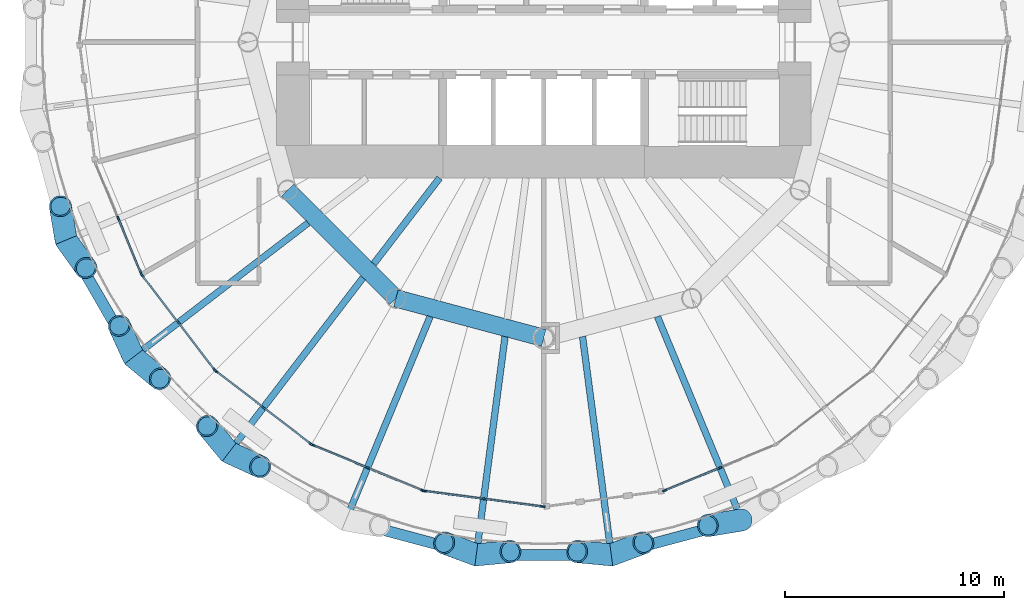
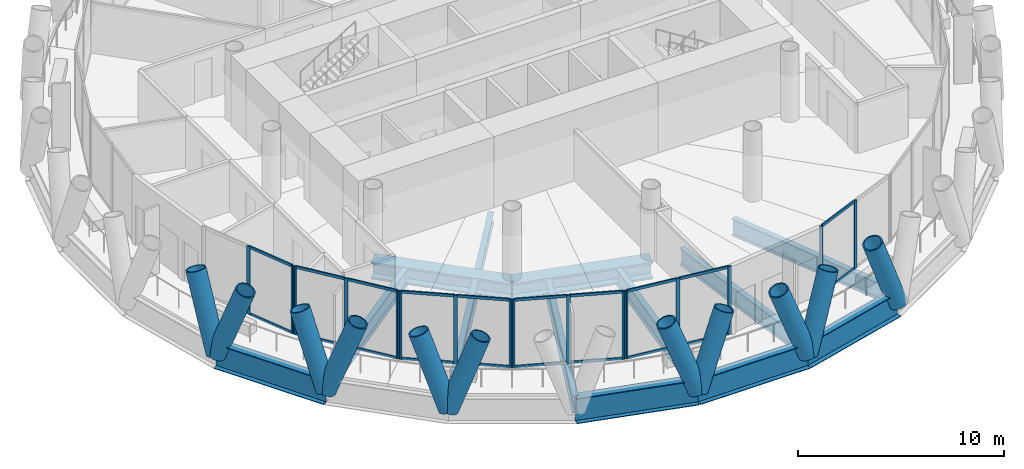
# One storey, part 2 of 14: 47 members, 13 beams, 6 elements without a shape of their own.
"""IFC4 building model written with IfcOpenShell, lengths in metres."""

from ifc_helpers import new_model, si_unit, direction, frame, origin, origin_2d, place, context, subcontext, project, spatial, rectangle, hollow_circle, i_section, extrude, material, material_profile, profile_set, type_object, element, aggregate, save


model = new_model("IFC4")

# Units and contexts
model_context = context("Model", 3, precision=1e-05, world=origin(), true_north=direction((0.0, 1.0)))
body_context = subcontext(model_context, "Body", "Model", "MODEL_VIEW")
ifc_project = project(units=[si_unit("LENGTHUNIT", "METRE"), si_unit("AREAUNIT", "SQUARE_METRE"), si_unit("VOLUMEUNIT", "CUBIC_METRE"), si_unit("PLANEANGLEUNIT", "RADIAN"), si_unit("MASSUNIT", "GRAM", prefix="KILO")], contexts=[model_context])

# Site, building, storey
site_placement = place(None, origin())
site = spatial("IfcSite", under=ifc_project, at=site_placement, CompositionType="ELEMENT")
building_placement = place(site_placement, origin())
building = spatial("IfcBuilding", under=site, at=building_placement, Name="Qaws Media Tower", CompositionType="ELEMENT")
storey_placement = place(building_placement, frame((0.0, 0.0, 202.39990234375)))
storey = spatial("IfcBuildingStorey", under=building, at=storey_placement, Name="L46", CompositionType="ELEMENT", Elevation=202.39990234375)

# Curtain wall, members
ifc_material_1 = material(Name="Aluminium and clear glass", Category="aluminium")
curtain_wall_type = type_object("IfcCurtainWallType", Name="Unitised curtain wall CW-C", PredefinedType="NOTDEFINED", material=ifc_material_1)
curtain_wall_1_placement = place(storey_placement, origin())
curtain_wall_1 = element("IfcCurtainWall", 1, at=curtain_wall_1_placement, inside=storey, type_object=curtain_wall_type, Name="CWC curtain wall L46-14", PredefinedType="NOTDEFINED")
ifc_material_2 = material(Name="Aluminium mullion", Category="aluminium")
ifc_material_profile_1 = material_profile(ifc_material_2, rectangle(XDim=0.080078125, YDim=0.199951171875, at=origin_2d()), Name="80x200")
ifc_profile_set_1 = profile_set([ifc_material_profile_1], Name="Aluminium mullion")
member_type_1 = type_object("IfcMemberType", Name="Curtain wall mullion 80x200", PredefinedType="MULLION", material=ifc_profile_set_1)
member_1_placement = place(storey_placement, frame((40.581298828125, 41.95654296875, 0.0), z_axis=(0.0, 0.0, 1.0), x_axis=(0.923879523321, 0.382683454553, 0.0)))
member_1 = element("IfcMember", 2, at=member_1_placement, type_object=member_type_1, Name="CWC mullion 2", PredefinedType="MULLION", context=body_context, shape_type="SweptSolid", body=[
    extrude(rectangle(XDim=0.080078125, YDim=0.199951171875, at=origin_2d()), origin(), (0.0, 0.0, 1.0), 4.0400390625),
])
member_2_placement = place(storey_placement, frame((41.625, 39.43701171875, 0.0), z_axis=(0.0, 0.0, 1.0), x_axis=(0.923879523321, 0.382683454553, 0.0)))
member_2 = element("IfcMember", 3, at=member_2_placement, type_object=member_type_1, Name="CWC mullion 3", PredefinedType="MULLION", context=body_context, shape_type="SweptSolid", body=[
    extrude(rectangle(XDim=0.080078125, YDim=0.199951171875, at=origin_2d()), origin(), (0.0, 0.0, 1.0), 4.0400390625),
])

curtain_wall_2_placement = place(storey_placement, origin())
curtain_wall_2 = element("IfcCurtainWall", 4, at=curtain_wall_2_placement, inside=storey, type_object=curtain_wall_type, Name="CWC curtain wall L46-15", PredefinedType="NOTDEFINED")
member_3_placement = place(storey_placement, frame((41.66455078125, 39.3681640625, 0.0), z_axis=(0.0, 0.0, 1.0), x_axis=(0.793353338751, 0.608761431016, 0.0)))
member_3 = element("IfcMember", 5, at=member_3_placement, type_object=member_type_1, Name="CWC mullion 1", PredefinedType="MULLION", context=body_context, shape_type="SweptSolid", body=[
    extrude(rectangle(XDim=0.080078125, YDim=0.199951171875, at=origin_2d()), origin(), (0.0, 0.0, 1.0), 4.0400390625),
])
member_4_placement = place(storey_placement, frame((43.32470703125, 37.20458984375, 0.0), z_axis=(0.0, 0.0, 1.0), x_axis=(0.793353338751, 0.608761431016, 0.0)))
member_4 = element("IfcMember", 6, at=member_4_placement, type_object=member_type_1, Name="CWC mullion 2", PredefinedType="MULLION", context=body_context, shape_type="SweptSolid", body=[
    extrude(rectangle(XDim=0.080078125, YDim=0.199951171875, at=origin_2d()), origin(), (0.0, 0.0, 1.0), 4.0400390625),
])
member_5_placement = place(storey_placement, frame((44.985107421875, 35.041015625, 0.0), z_axis=(0.0, 0.0, 1.0), x_axis=(0.793353338751, 0.608761431016, 0.0)))
member_5 = element("IfcMember", 7, at=member_5_placement, type_object=member_type_1, Name="CWC mullion 3", PredefinedType="MULLION", context=body_context, shape_type="SweptSolid", body=[
    extrude(rectangle(XDim=0.080078125, YDim=0.199951171875, at=origin_2d()), origin(), (0.0, 0.0, 1.0), 4.0400390625),
])

curtain_wall_3_placement = place(storey_placement, origin())
curtain_wall_3 = element("IfcCurtainWall", 8, at=curtain_wall_3_placement, inside=storey, type_object=curtain_wall_type, Name="CWC curtain wall L46-16", PredefinedType="NOTDEFINED")
member_6_placement = place(storey_placement, frame((45.041015625, 34.985107421875, 0.0), z_axis=(0.0, 0.0, 1.0), x_axis=(0.608761431016, 0.793353338751, 0.0)))
member_6 = element("IfcMember", 9, at=member_6_placement, type_object=member_type_1, Name="CWC mullion 1", PredefinedType="MULLION", context=body_context, shape_type="SweptSolid", body=[
    extrude(rectangle(XDim=0.080078125, YDim=0.199951171875, at=origin_2d()), origin(), (0.0, 0.0, 1.0), 4.0400390625),
])
member_7_placement = place(storey_placement, frame((47.20458984375, 33.32470703125, 0.0), z_axis=(0.0, 0.0, 1.0), x_axis=(0.608761431016, 0.793353338751, 0.0)))
member_7 = element("IfcMember", 10, at=member_7_placement, type_object=member_type_1, Name="CWC mullion 2", PredefinedType="MULLION", context=body_context, shape_type="SweptSolid", body=[
    extrude(rectangle(XDim=0.080078125, YDim=0.199951171875, at=origin_2d()), origin(), (0.0, 0.0, 1.0), 4.0400390625),
])
member_8_placement = place(storey_placement, frame((49.3681640625, 31.66455078125, 0.0), z_axis=(0.0, 0.0, 1.0), x_axis=(0.608761431016, 0.793353338751, 0.0)))
member_8 = element("IfcMember", 11, at=member_8_placement, type_object=member_type_1, Name="CWC mullion 3", PredefinedType="MULLION", context=body_context, shape_type="SweptSolid", body=[
    extrude(rectangle(XDim=0.080078125, YDim=0.199951171875, at=origin_2d()), origin(), (0.0, 0.0, 1.0), 4.0400390625),
])

curtain_wall_4_placement = place(storey_placement, origin())
curtain_wall_4 = element("IfcCurtainWall", 12, at=curtain_wall_4_placement, inside=storey, type_object=curtain_wall_type, Name="CWC curtain wall L46-17", PredefinedType="NOTDEFINED")
member_9_placement = place(storey_placement, frame((49.43701171875, 31.625, 0.0), z_axis=(0.0, 0.0, 1.0), x_axis=(0.382683454553, 0.923879523321, 0.0)))
member_9 = element("IfcMember", 13, at=member_9_placement, type_object=member_type_1, Name="CWC mullion 1", PredefinedType="MULLION", context=body_context, shape_type="SweptSolid", body=[
    extrude(rectangle(XDim=0.080078125, YDim=0.199951171875, at=origin_2d()), origin(), (0.0, 0.0, 1.0), 4.0400390625),
])
member_10_placement = place(storey_placement, frame((51.95654296875, 30.581298828125, 0.0), z_axis=(0.0, 0.0, 1.0), x_axis=(0.382683454553, 0.923879523321, 0.0)))
member_10 = element("IfcMember", 14, at=member_10_placement, type_object=member_type_1, Name="CWC mullion 2", PredefinedType="MULLION", context=body_context, shape_type="SweptSolid", body=[
    extrude(rectangle(XDim=0.080078125, YDim=0.199951171875, at=origin_2d()), origin(), (0.0, 0.0, 1.0), 4.0400390625),
])
member_11_placement = place(storey_placement, frame((54.47607421875, 29.53759765625, 0.0), z_axis=(0.0, 0.0, 1.0), x_axis=(0.382683454553, 0.923879523321, 0.0)))
member_11 = element("IfcMember", 15, at=member_11_placement, type_object=member_type_1, Name="CWC mullion 3", PredefinedType="MULLION", context=body_context, shape_type="SweptSolid", body=[
    extrude(rectangle(XDim=0.080078125, YDim=0.199951171875, at=origin_2d()), origin(), (0.0, 0.0, 1.0), 4.0400390625),
])

curtain_wall_5_placement = place(storey_placement, origin())
curtain_wall_5 = element("IfcCurtainWall", 16, at=curtain_wall_5_placement, inside=storey, type_object=curtain_wall_type, Name="CWC curtain wall L46-18", PredefinedType="NOTDEFINED")
member_12_placement = place(storey_placement, frame((54.552734375, 29.51708984375, 0.0), z_axis=(0.0, 0.0, 1.0), x_axis=(0.130526100786, 0.991444873411, 0.0)))
member_12 = element("IfcMember", 17, at=member_12_placement, type_object=member_type_1, Name="CWC mullion 1", PredefinedType="MULLION", context=body_context, shape_type="SweptSolid", body=[
    extrude(rectangle(XDim=0.080078125, YDim=0.199951171875, at=origin_2d()), origin(), (0.0, 0.0, 1.0), 4.0400390625),
])
member_13_placement = place(storey_placement, frame((57.256591796875, 29.1611328125, 0.0), z_axis=(0.0, 0.0, 1.0), x_axis=(0.130526100786, 0.991444873411, 0.0)))
member_13 = element("IfcMember", 18, at=member_13_placement, type_object=member_type_1, Name="CWC mullion 2", PredefinedType="MULLION", context=body_context, shape_type="SweptSolid", body=[
    extrude(rectangle(XDim=0.080078125, YDim=0.199951171875, at=origin_2d()), origin(), (0.0, 0.0, 1.0), 4.0400390625),
])
member_14_placement = place(storey_placement, frame((59.96044921875, 28.80517578125, 0.0), z_axis=(0.0, 0.0, 1.0), x_axis=(0.130526100786, 0.991444873411, 0.0)))
member_14 = element("IfcMember", 19, at=member_14_placement, type_object=member_type_1, Name="CWC mullion 3", PredefinedType="MULLION", context=body_context, shape_type="SweptSolid", body=[
    extrude(rectangle(XDim=0.080078125, YDim=0.199951171875, at=origin_2d()), origin(), (0.0, 0.0, 1.0), 4.0400390625),
])

curtain_wall_6_placement = place(storey_placement, origin())
curtain_wall_6 = element("IfcCurtainWall", 20, at=curtain_wall_6_placement, inside=storey, type_object=curtain_wall_type, Name="CWC curtain wall L46-20", PredefinedType="NOTDEFINED")
member_15_placement = place(storey_placement, frame((65.52392578125, 29.53759765625, 0.0), z_axis=(0.0, 0.0, 1.0), x_axis=(-0.382683454553, 0.923879523321, 0.0)))
member_15 = element("IfcMember", 21, at=member_15_placement, type_object=member_type_1, Name="CWC mullion 1", PredefinedType="MULLION", context=body_context, shape_type="SweptSolid", body=[
    extrude(rectangle(XDim=0.080078125, YDim=0.199951171875, at=origin_2d()), origin(), (0.0, 0.0, 1.0), 4.0400390625),
])
member_16_placement = place(storey_placement, frame((68.04345703125, 30.581298828125, 0.0), z_axis=(0.0, 0.0, 1.0), x_axis=(-0.382683454553, 0.923879523321, 0.0)))
member_16 = element("IfcMember", 22, at=member_16_placement, type_object=member_type_1, Name="CWC mullion 2", PredefinedType="MULLION", context=body_context, shape_type="SweptSolid", body=[
    extrude(rectangle(XDim=0.080078125, YDim=0.199951171875, at=origin_2d()), origin(), (0.0, 0.0, 1.0), 4.0400390625),
])

# Member
ifc_material_3 = material(Name="Aluminium transom", Category="aluminium")
ifc_material_profile_2 = material_profile(ifc_material_3, rectangle(XDim=0.080078125, YDim=0.159912109375, at=origin_2d()), Name="80x160")
ifc_profile_set_2 = profile_set([ifc_material_profile_2], Name="Aluminium transom")
member_type_2 = type_object("IfcMemberType", Name="Curtain wall transom 80x160", PredefinedType="USERDEFINED", material=ifc_profile_set_2)
member_17_placement = place(storey_placement, frame((40.5966796875, 41.919677734375, 0.0400390625), z_axis=(0.38263687271, -0.923898816777, 0.0), x_axis=(0.923898816777, 0.38263687271, 0.0)))
member_17 = element("IfcMember", 23, at=member_17_placement, type_object=member_type_2, Name="CWC transom 2.1", ObjectType="TRANSOM", PredefinedType="USERDEFINED", context=body_context, shape_type="SweptSolid", body=[
    extrude(rectangle(XDim=0.080078125, YDim=0.159912109375, at=origin_2d()), origin(), (0.0, 0.0, 1.0), 2.647216796875),
])

member_18_placement = place(storey_placement, frame((40.5966796875, 41.919677734375, 4.0), z_axis=(0.38263687271, -0.923898816777, 0.0), x_axis=(0.923898816777, 0.38263687271, 0.0)))
member_18 = element("IfcMember", 24, at=member_18_placement, type_object=member_type_2, Name="CWC transom 2.2", ObjectType="TRANSOM", PredefinedType="USERDEFINED", context=body_context, shape_type="SweptSolid", body=[
    extrude(rectangle(XDim=0.080078125, YDim=0.159912109375, at=origin_2d()), origin(), (0.0, 0.0, 1.0), 2.647216796875),
])

aggregate(curtain_wall_1, [member_1, member_2, member_17, member_18])

member_19_placement = place(storey_placement, frame((41.68896484375, 39.33642578125, 0.0400390625), z_axis=(0.608787739029, -0.793333151209, 0.0), x_axis=(0.793333151209, 0.608787739029, 0.0)))
member_19 = element("IfcMember", 25, at=member_19_placement, type_object=member_type_2, Name="CWC transom 1.1", ObjectType="TRANSOM", PredefinedType="USERDEFINED", context=body_context, shape_type="SweptSolid", body=[
    extrude(rectangle(XDim=0.080078125, YDim=0.159912109375, at=origin_2d()), origin(), (0.0, 0.0, 1.0), 2.647216796875),
])

member_20_placement = place(storey_placement, frame((41.68896484375, 39.33642578125, 4.0), z_axis=(0.608787739029, -0.793333151209, 0.0), x_axis=(0.793333151209, 0.608787739029, 0.0)))
member_20 = element("IfcMember", 26, at=member_20_placement, type_object=member_type_2, Name="CWC transom 1.2", ObjectType="TRANSOM", PredefinedType="USERDEFINED", context=body_context, shape_type="SweptSolid", body=[
    extrude(rectangle(XDim=0.080078125, YDim=0.159912109375, at=origin_2d()), origin(), (0.0, 0.0, 1.0), 2.647216796875),
])

member_21_placement = place(storey_placement, frame((43.34912109375, 37.1728515625, 0.0400390625), z_axis=(0.608787739029, -0.793333151209, 0.0), x_axis=(0.793333151209, 0.608787739029, 0.0)))
member_21 = element("IfcMember", 27, at=member_21_placement, type_object=member_type_2, Name="CWC transom 2.1", ObjectType="TRANSOM", PredefinedType="USERDEFINED", context=body_context, shape_type="SweptSolid", body=[
    extrude(rectangle(XDim=0.080078125, YDim=0.159912109375, at=origin_2d()), origin(), (0.0, 0.0, 1.0), 2.647216796875),
])

member_22_placement = place(storey_placement, frame((43.34912109375, 37.1728515625, 4.0), z_axis=(0.608787739029, -0.793333151209, 0.0), x_axis=(0.793333151209, 0.608787739029, 0.0)))
member_22 = element("IfcMember", 28, at=member_22_placement, type_object=member_type_2, Name="CWC transom 2.2", ObjectType="TRANSOM", PredefinedType="USERDEFINED", context=body_context, shape_type="SweptSolid", body=[
    extrude(rectangle(XDim=0.080078125, YDim=0.159912109375, at=origin_2d()), origin(), (0.0, 0.0, 1.0), 2.647216796875),
])

aggregate(curtain_wall_2, [member_3, member_4, member_5, member_19, member_20, member_21, member_22])

member_23_placement = place(storey_placement, frame((45.07275390625, 34.960693359375, 0.0400390625), z_axis=(0.793333151209, -0.608787739029, 0.0), x_axis=(0.608787739029, 0.793333151209, 0.0)))
member_23 = element("IfcMember", 29, at=member_23_placement, type_object=member_type_2, Name="CWC transom 1.1", ObjectType="TRANSOM", PredefinedType="USERDEFINED", context=body_context, shape_type="SweptSolid", body=[
    extrude(rectangle(XDim=0.080078125, YDim=0.159912109375, at=origin_2d()), origin(), (0.0, 0.0, 1.0), 2.647216796875),
])

member_24_placement = place(storey_placement, frame((45.07275390625, 34.960693359375, 4.0), z_axis=(0.793333151209, -0.608787739029, 0.0), x_axis=(0.608787739029, 0.793333151209, 0.0)))
member_24 = element("IfcMember", 30, at=member_24_placement, type_object=member_type_2, Name="CWC transom 1.2", ObjectType="TRANSOM", PredefinedType="USERDEFINED", context=body_context, shape_type="SweptSolid", body=[
    extrude(rectangle(XDim=0.080078125, YDim=0.159912109375, at=origin_2d()), origin(), (0.0, 0.0, 1.0), 2.647216796875),
])

member_25_placement = place(storey_placement, frame((47.236328125, 33.300537109375, 0.0400390625), z_axis=(0.793333151209, -0.608787739029, 0.0), x_axis=(0.608787739029, 0.793333151209, 0.0)))
member_25 = element("IfcMember", 31, at=member_25_placement, type_object=member_type_2, Name="CWC transom 2.1", ObjectType="TRANSOM", PredefinedType="USERDEFINED", context=body_context, shape_type="SweptSolid", body=[
    extrude(rectangle(XDim=0.080078125, YDim=0.159912109375, at=origin_2d()), origin(), (0.0, 0.0, 1.0), 2.647216796875),
])

member_26_placement = place(storey_placement, frame((47.236328125, 33.300537109375, 4.0), z_axis=(0.793333151209, -0.608787739029, 0.0), x_axis=(0.608787739029, 0.793333151209, 0.0)))
member_26 = element("IfcMember", 32, at=member_26_placement, type_object=member_type_2, Name="CWC transom 2.2", ObjectType="TRANSOM", PredefinedType="USERDEFINED", context=body_context, shape_type="SweptSolid", body=[
    extrude(rectangle(XDim=0.080078125, YDim=0.159912109375, at=origin_2d()), origin(), (0.0, 0.0, 1.0), 2.647216796875),
])

aggregate(curtain_wall_3, [member_6, member_7, member_8, member_23, member_24, member_25, member_26])

member_27_placement = place(storey_placement, frame((49.473876953125, 31.609619140625, 0.0400390625), z_axis=(0.923898816777, -0.38263687271, 0.0), x_axis=(0.38263687271, 0.923898816777, 0.0)))
member_27 = element("IfcMember", 33, at=member_27_placement, type_object=member_type_2, Name="CWC transom 1.1", ObjectType="TRANSOM", PredefinedType="USERDEFINED", context=body_context, shape_type="SweptSolid", body=[
    extrude(rectangle(XDim=0.080078125, YDim=0.159912109375, at=origin_2d()), origin(), (0.0, 0.0, 1.0), 2.647216796875),
])

member_28_placement = place(storey_placement, frame((49.473876953125, 31.609619140625, 4.0), z_axis=(0.923898816777, -0.38263687271, 0.0), x_axis=(0.38263687271, 0.923898816777, 0.0)))
member_28 = element("IfcMember", 34, at=member_28_placement, type_object=member_type_2, Name="CWC transom 1.2", ObjectType="TRANSOM", PredefinedType="USERDEFINED", context=body_context, shape_type="SweptSolid", body=[
    extrude(rectangle(XDim=0.080078125, YDim=0.159912109375, at=origin_2d()), origin(), (0.0, 0.0, 1.0), 2.647216796875),
])

member_29_placement = place(storey_placement, frame((51.993408203125, 30.56591796875, 0.0400390625), z_axis=(0.923898816777, -0.38263687271, 0.0), x_axis=(0.38263687271, 0.923898816777, 0.0)))
member_29 = element("IfcMember", 35, at=member_29_placement, type_object=member_type_2, Name="CWC transom 2.1", ObjectType="TRANSOM", PredefinedType="USERDEFINED", context=body_context, shape_type="SweptSolid", body=[
    extrude(rectangle(XDim=0.080078125, YDim=0.159912109375, at=origin_2d()), origin(), (0.0, 0.0, 1.0), 2.647216796875),
])

member_30_placement = place(storey_placement, frame((51.993408203125, 30.56591796875, 4.0), z_axis=(0.923898816777, -0.38263687271, 0.0), x_axis=(0.38263687271, 0.923898816777, 0.0)))
member_30 = element("IfcMember", 36, at=member_30_placement, type_object=member_type_2, Name="CWC transom 2.2", ObjectType="TRANSOM", PredefinedType="USERDEFINED", context=body_context, shape_type="SweptSolid", body=[
    extrude(rectangle(XDim=0.080078125, YDim=0.159912109375, at=origin_2d()), origin(), (0.0, 0.0, 1.0), 2.647216796875),
])

aggregate(curtain_wall_4, [member_9, member_10, member_11, member_27, member_28, member_29, member_30])

member_31_placement = place(storey_placement, frame((54.59228515625, 29.511962890625, 0.0400390625), z_axis=(0.991448016129, -0.130502227239, 0.0), x_axis=(0.130502227239, 0.991448016129, 0.0)))
member_31 = element("IfcMember", 37, at=member_31_placement, type_object=member_type_2, Name="CWC transom 1.1", ObjectType="TRANSOM", PredefinedType="USERDEFINED", context=body_context, shape_type="SweptSolid", body=[
    extrude(rectangle(XDim=0.080078125, YDim=0.159912109375, at=origin_2d()), origin(), (0.0, 0.0, 1.0), 2.647216796875),
])

member_32_placement = place(storey_placement, frame((54.59228515625, 29.511962890625, 4.0), z_axis=(0.991448016129, -0.130502227239, 0.0), x_axis=(0.130502227239, 0.991448016129, 0.0)))
member_32 = element("IfcMember", 38, at=member_32_placement, type_object=member_type_2, Name="CWC transom 1.2", ObjectType="TRANSOM", PredefinedType="USERDEFINED", context=body_context, shape_type="SweptSolid", body=[
    extrude(rectangle(XDim=0.080078125, YDim=0.159912109375, at=origin_2d()), origin(), (0.0, 0.0, 1.0), 2.647216796875),
])

member_33_placement = place(storey_placement, frame((57.296142578125, 29.156005859375, 0.0400390625), z_axis=(0.991448016129, -0.130502227239, 0.0), x_axis=(0.130502227239, 0.991448016129, 0.0)))
member_33 = element("IfcMember", 39, at=member_33_placement, type_object=member_type_2, Name="CWC transom 2.1", ObjectType="TRANSOM", PredefinedType="USERDEFINED", context=body_context, shape_type="SweptSolid", body=[
    extrude(rectangle(XDim=0.080078125, YDim=0.159912109375, at=origin_2d()), origin(), (0.0, 0.0, 1.0), 2.647216796875),
])

member_34_placement = place(storey_placement, frame((57.296142578125, 29.156005859375, 4.0), z_axis=(0.991448016129, -0.130502227239, 0.0), x_axis=(0.130502227239, 0.991448016129, 0.0)))
member_34 = element("IfcMember", 40, at=member_34_placement, type_object=member_type_2, Name="CWC transom 2.2", ObjectType="TRANSOM", PredefinedType="USERDEFINED", context=body_context, shape_type="SweptSolid", body=[
    extrude(rectangle(XDim=0.080078125, YDim=0.159912109375, at=origin_2d()), origin(), (0.0, 0.0, 1.0), 2.647216796875),
])

aggregate(curtain_wall_5, [member_12, member_13, member_14, member_31, member_32, member_33, member_34])

member_35_placement = place(storey_placement, frame((65.560791015625, 29.552978515625, 0.0400390625), z_axis=(0.923898816777, 0.38263687271, 0.0), x_axis=(-0.38263687271, 0.923898816777, 0.0)))
member_35 = element("IfcMember", 41, at=member_35_placement, type_object=member_type_2, Name="CWC transom 1.1", ObjectType="TRANSOM", PredefinedType="USERDEFINED", context=body_context, shape_type="SweptSolid", body=[
    extrude(rectangle(XDim=0.080078125, YDim=0.159912109375, at=origin_2d()), origin(), (0.0, 0.0, 1.0), 2.647216796875),
])

member_36_placement = place(storey_placement, frame((65.560791015625, 29.552978515625, 4.0), z_axis=(0.923898816777, 0.38263687271, 0.0), x_axis=(-0.38263687271, 0.923898816777, 0.0)))
member_36 = element("IfcMember", 42, at=member_36_placement, type_object=member_type_2, Name="CWC transom 1.2", ObjectType="TRANSOM", PredefinedType="USERDEFINED", context=body_context, shape_type="SweptSolid", body=[
    extrude(rectangle(XDim=0.080078125, YDim=0.159912109375, at=origin_2d()), origin(), (0.0, 0.0, 1.0), 2.647216796875),
])

aggregate(curtain_wall_6, [member_15, member_16, member_35, member_36])

# Members
ifc_material_4 = material(Name="Steel S460", Category="steel")
ifc_material_profile_3 = material_profile(ifc_material_4, hollow_circle(Radius=0.508056640625, WallThickness=0.070068359375, at=origin_2d()), Name="CHS 1016x70")
ifc_profile_set_3 = profile_set([ifc_material_profile_3], Name="Steel S460")
member_type_3 = type_object("IfcMemberType", Name="Diagrid member CHS 1016x70", PredefinedType="USERDEFINED", material=ifc_profile_set_3)
for number, where, z_axis, x_axis, name in (
    (43, (38.196533203125, 40.96875, -0.909912109375), (0.202217491802, -0.284313871152, 0.93716258391), (0.814902881425, 0.579597527467, 0.0), "DG3 diagrid L46 A14"),
    (44, (38.196533203125, 40.96875, -0.909912109375), (-0.058017977607, 0.34402209257, 0.937167388516), (-0.986075579143, -0.166297781756, 0.0), "DG3 diagrid L46 B14"),
):
    element("IfcMember", number, at=place(storey_placement, frame(where, z_axis=z_axis, x_axis=x_axis)), inside=storey, type_object=member_type_3, Name=name, ObjectType="DIAGRID", PredefinedType="USERDEFINED", context=body_context, shape_type="SweptSolid", body=[
        extrude(hollow_circle(Radius=0.508056640625, WallThickness=0.070068359375, at=origin_2d()), origin(), (0.0, 0.0, 1.0), 4.4814453125),
    ])
member_37_placement = place(storey_placement, frame((41.27685546875, 35.63330078125, -0.909912109375), z_axis=(0.268950060745, -0.222263773109, 0.937157766861), x_axis=(0.637030728168, 0.770838408079, 0.0)))
element("IfcMember", 45, at=member_37_placement, inside=storey, type_object=member_type_3, Name="DG3 diagrid L46 A15", ObjectType="DIAGRID", PredefinedType="USERDEFINED", context=body_context, shape_type="SweptSolid", body=[
    extrude(hollow_circle(Radius=0.508056640625, WallThickness=0.070068359375, at=origin_2d()), origin(), (0.0, 0.0, 1.0), 4.481689453125),
])
for number, where, z_axis, x_axis, name in (
    (46, (41.27685546875, 35.63330078125, -0.909912109375), (-0.145072807863, 0.317275265863, 0.937171428337), (-0.909439045115, -0.41583725569, 0.0), "DG3 diagrid L46 B15"),
    (47, (45.63330078125, 31.27685546875, -0.909912109375), (0.317275265863, -0.145072807863, 0.937171428337), (0.41583725569, 0.909439045115, 0.0), "DG3 diagrid L46 A16"),
):
    element("IfcMember", number, at=place(storey_placement, frame(where, z_axis=z_axis, x_axis=x_axis)), inside=storey, type_object=member_type_3, Name=name, ObjectType="DIAGRID", PredefinedType="USERDEFINED", context=body_context, shape_type="SweptSolid", body=[
        extrude(hollow_circle(Radius=0.508056640625, WallThickness=0.070068359375, at=origin_2d()), origin(), (0.0, 0.0, 1.0), 4.4814453125),
    ])
member_38_placement = place(storey_placement, frame((45.63330078125, 31.27685546875, -0.909912109375), z_axis=(-0.222263773109, 0.268950060745, 0.937157766861), x_axis=(-0.770838408079, -0.637030728168, 0.0)))
element("IfcMember", 48, at=member_38_placement, inside=storey, type_object=member_type_3, Name="DG3 diagrid L46 B16", ObjectType="DIAGRID", PredefinedType="USERDEFINED", context=body_context, shape_type="SweptSolid", body=[
    extrude(hollow_circle(Radius=0.508056640625, WallThickness=0.070068359375, at=origin_2d()), origin(), (0.0, 0.0, 1.0), 4.481689453125),
])
member_39_placement = place(storey_placement, frame((56.919677734375, 26.601806640625, -0.909912109375), z_axis=(0.347292966152, 0.03306773811, 0.937173473994), x_axis=(-0.094786985058, 0.995497577829, 0.0)))
element("IfcMember", 49, at=member_39_placement, inside=storey, type_object=member_type_3, Name="DG3 diagrid L46 A18", ObjectType="DIAGRID", PredefinedType="USERDEFINED", context=body_context, shape_type="SweptSolid", body=[
    extrude(hollow_circle(Radius=0.508056640625, WallThickness=0.070068359375, at=origin_2d()), origin(), (0.0, 0.0, 1.0), 4.4814453125),
])
for number, where, z_axis, x_axis, name in (
    (50, (56.919677734375, 26.601806640625, -0.909912109375), (-0.326965826616, 0.121808661832, 0.937153134834), (-0.349103646691, -0.937084117818, 0.0), "DG3 diagrid L46 B18"),
    (51, (63.080322265625, 26.601806640625, -0.909912109375), (0.326965826616, 0.121808661832, 0.937153134834), (-0.349103646691, 0.937084117818, 0.0), "DG3 diagrid L46 A19"),
):
    element("IfcMember", number, at=place(storey_placement, frame(where, z_axis=z_axis, x_axis=x_axis)), inside=storey, type_object=member_type_3, Name=name, ObjectType="DIAGRID", PredefinedType="USERDEFINED", context=body_context, shape_type="SweptSolid", body=[
        extrude(hollow_circle(Radius=0.508056640625, WallThickness=0.070068359375, at=origin_2d()), origin(), (0.0, 0.0, 1.0), 4.481689453125),
    ])
for number, where, z_axis, x_axis, name in (
    (52, (63.080322265625, 26.601806640625, -0.909912109375), (-0.347292966152, 0.03306773811, 0.937173473994), (-0.094786985058, -0.995497577829, 0.0), "DG3 diagrid L46 B19"),
    (53, (69.03125, 28.196533203125, -0.909912109375), (-0.34402209257, -0.058017977607, 0.937167388516), (0.166297781756, -0.986075579143, 0.0), "DG3 diagrid L46 B20"),
):
    element("IfcMember", number, at=place(storey_placement, frame(where, z_axis=z_axis, x_axis=x_axis)), inside=storey, type_object=member_type_3, Name=name, ObjectType="DIAGRID", PredefinedType="USERDEFINED", context=body_context, shape_type="SweptSolid", body=[
        extrude(hollow_circle(Radius=0.508056640625, WallThickness=0.070068359375, at=origin_2d()), origin(), (0.0, 0.0, 1.0), 4.4814453125),
    ])

# Beams
ifc_material_5 = material(Name="Steel S460", Category="steel")
ifc_material_profile_4 = material_profile(ifc_material_5, i_section(OverallWidth=0.5, OverallDepth=1.5, WebThickness=0.02001953125, FlangeThickness=0.0400390625, at=origin_2d()), Name="PG 1500x500")
ifc_profile_set_4 = profile_set([ifc_material_profile_4], Name="Steel S460")
beam_type_1 = type_object("IfcBeamType", Name="Edge ring beam PG 1500x500", PredefinedType="BEAM", material=ifc_profile_set_4)
for number, where, z_axis, x_axis, name in (
    (54, (38.196533203125, 40.96875, -0.909912109375), (0.499987731599, -0.866032486833, 0.0), (0.866032486833, 0.499987731599, 0.0), "RB4 edge ring beam L46-14"),
    (55, (50.96875, 28.196533203125, -0.909912109375), (0.965918510339, -0.258846347058, 0.0), (0.258846347058, 0.965918510339, 0.0), "RB4 edge ring beam L46-17"),
):
    element("IfcBeam", number, at=place(storey_placement, frame(where, z_axis=z_axis, x_axis=x_axis)), inside=storey, type_object=beam_type_1, Name=name, PredefinedType="BEAM", context=body_context, shape_type="SweptSolid", body=[
        extrude(i_section(OverallWidth=0.5, OverallDepth=1.5, WebThickness=0.02001953125, FlangeThickness=0.0400390625, at=origin_2d()), origin(), (0.0, 0.0, 1.0), 6.160888671875),
    ])
beam_1_placement = place(storey_placement, frame((56.919677734375, 26.601806640625, -0.909912109375), z_axis=(1.0, 0.0, 0.0), x_axis=(0.0, 1.0, 0.0)))
element("IfcBeam", 56, at=beam_1_placement, inside=storey, type_object=beam_type_1, Name="RB4 edge ring beam L46-18", PredefinedType="BEAM", context=body_context, shape_type="SweptSolid", body=[
    extrude(i_section(OverallWidth=0.5, OverallDepth=1.5, WebThickness=0.02001953125, FlangeThickness=0.0400390625, at=origin_2d()), origin(), (0.0, 0.0, 1.0), 6.16064453125),
])
beam_2_placement = place(storey_placement, frame((63.080322265625, 26.601806640625, -0.909912109375), z_axis=(0.965918510339, 0.258846347058, 0.0), x_axis=(-0.258846347058, 0.965918510339, 0.0)))
element("IfcBeam", 57, at=beam_2_placement, inside=storey, type_object=beam_type_1, Name="RB4 edge ring beam L46-19", PredefinedType="BEAM", context=body_context, shape_type="SweptSolid", body=[
    extrude(i_section(OverallWidth=0.5, OverallDepth=1.5, WebThickness=0.02001953125, FlangeThickness=0.0400390625, at=origin_2d()), origin(), (0.0, 0.0, 1.0), 6.160888671875),
])
ifc_material_6 = material(Name="Steel S460", Category="steel")
ifc_material_profile_5 = material_profile(ifc_material_6, i_section(OverallWidth=0.800048828125, OverallDepth=1.0, WebThickness=0.0400390625, FlangeThickness=0.10009765625, at=origin_2d()), Name="PG 1000x800")
ifc_profile_set_5 = profile_set([ifc_material_profile_5], Name="Steel S460")
beam_type_2 = type_object("IfcBeamType", Name="Inner ring girder PG 1000x800", PredefinedType="BEAM", material=ifc_profile_set_5)
beam_3_placement = place(storey_placement, frame((48.30859375, 43.25, -0.659912109375), z_axis=(0.707106781187, -0.707106781187, 0.0), x_axis=(0.707106781187, 0.707106781187, 0.0)))
element("IfcBeam", 58, at=beam_3_placement, inside=storey, type_object=beam_type_2, Name="B3 inner ring beam L46 I08-I09", PredefinedType="BEAM", context=body_context, shape_type="SweptSolid", body=[
    extrude(i_section(OverallWidth=0.800048828125, OverallDepth=1.0, WebThickness=0.0400390625, FlangeThickness=0.10009765625, at=origin_2d()), origin(), (0.0, 0.0, 1.0), 6.98828125),
])
beam_4_placement = place(storey_placement, frame((53.25, 38.30859375, -0.659912109375), z_axis=(0.965928090778, -0.258810593767, 0.0), x_axis=(0.258810593767, 0.965928090778, 0.0)))
element("IfcBeam", 59, at=beam_4_placement, inside=storey, type_object=beam_type_2, Name="B3 inner ring beam L46 I09-I10", PredefinedType="BEAM", context=body_context, shape_type="SweptSolid", body=[
    extrude(i_section(OverallWidth=0.800048828125, OverallDepth=1.0, WebThickness=0.0400390625, FlangeThickness=0.10009765625, at=origin_2d()), origin(), (0.0, 0.0, 1.0), 6.988037109375),
])
ifc_material_7 = material(Name="Steel S355", Category="steel")
ifc_material_profile_6 = material_profile(ifc_material_7, i_section(OverallWidth=0.302001953125, OverallDepth=1.008056640625, WebThickness=0.02099609375, FlangeThickness=0.0400390625, FilletRadius=0.030029296875, at=origin_2d()), Name="HE 1000 M")
ifc_profile_set_6 = profile_set([ifc_material_profile_6], Name="Steel S355")
beam_type_3 = type_object("IfcBeamType", Name="Radial beam HE 1000 M", PredefinedType="BEAM", material=ifc_profile_set_6)
for number, where, z_axis, x_axis, name in (
    (60, (49.245361328125, 41.74755859375, -0.663818359375), (-0.793362562269, -0.608749410505, 0.0), (0.608749410505, -0.793362562269, 0.0), "B1 radial beam L46 15"),
    (61, (51.74755859375, 39.245361328125, -0.663818359375), (-0.608749410505, -0.793362562269, 0.0), (0.793362562269, -0.608749410505, 0.0), "B1 radial beam L46 16"),
):
    element("IfcBeam", number, at=place(storey_placement, frame(where, z_axis=z_axis, x_axis=x_axis)), inside=storey, type_object=beam_type_3, Name=name, PredefinedType="BEAM", context=body_context, shape_type="SweptSolid", body=[
        extrude(i_section(OverallWidth=0.302001953125, OverallDepth=1.008056640625, WebThickness=0.02099609375, FlangeThickness=0.0400390625, FilletRadius=0.030029296875, at=origin_2d()), origin(), (0.0, 0.0, 1.0), 10.0439453125),
    ])
beam_5_placement = place(storey_placement, frame((54.812255859375, 37.475830078125, -0.663818359375), z_axis=(-0.382674529894, -0.923883219985, 0.0), x_axis=(0.923883219985, -0.382674529894, 0.0)))
element("IfcBeam", 62, at=beam_5_placement, inside=storey, type_object=beam_type_3, Name="B1 radial beam L46 17", PredefinedType="BEAM", context=body_context, shape_type="SweptSolid", body=[
    extrude(i_section(OverallWidth=0.302001953125, OverallDepth=1.008056640625, WebThickness=0.02099609375, FlangeThickness=0.0400390625, FilletRadius=0.030029296875, at=origin_2d()), origin(), (0.0, 0.0, 1.0), 10.043701171875),
])
for number, where, z_axis, x_axis, name in (
    (63, (58.230712890625, 36.56005859375, -0.663818359375), (-0.130526820019, -0.991444778722, 0.0), (0.991444778722, -0.130526820019, 0.0), "B1 radial beam L46 18"),
    (64, (61.769287109375, 36.56005859375, -0.663818359375), (0.130526820019, -0.991444778722, 0.0), (0.991444778722, 0.130526820019, 0.0), "B1 radial beam L46 19"),
):
    element("IfcBeam", number, at=place(storey_placement, frame(where, z_axis=z_axis, x_axis=x_axis)), inside=storey, type_object=beam_type_3, Name=name, PredefinedType="BEAM", context=body_context, shape_type="SweptSolid", body=[
        extrude(i_section(OverallWidth=0.302001953125, OverallDepth=1.008056640625, WebThickness=0.02099609375, FlangeThickness=0.0400390625, FilletRadius=0.030029296875, at=origin_2d()), origin(), (0.0, 0.0, 1.0), 10.044189453125),
    ])
beam_6_placement = place(storey_placement, frame((65.187744140625, 37.475830078125, -0.663818359375), z_axis=(0.382674529894, -0.923883219985, 0.0), x_axis=(0.923883219985, 0.382674529894, 0.0)))
element("IfcBeam", 65, at=beam_6_placement, inside=storey, type_object=beam_type_3, Name="B1 radial beam L46 20", PredefinedType="BEAM", context=body_context, shape_type="SweptSolid", body=[
    extrude(i_section(OverallWidth=0.302001953125, OverallDepth=1.008056640625, WebThickness=0.02099609375, FlangeThickness=0.0400390625, FilletRadius=0.030029296875, at=origin_2d()), origin(), (0.0, 0.0, 1.0), 10.043701171875),
])
ifc_material_8 = material(Name="Steel S355", Category="steel")
ifc_material_profile_7 = material_profile(ifc_material_8, i_section(OverallWidth=0.304931640625, OverallDepth=0.6201171875, WebThickness=0.02099609375, FlangeThickness=0.0400390625, FilletRadius=0.027099609375, at=origin_2d()), Name="HE 600 M")
ifc_profile_set_7 = profile_set([ifc_material_profile_7], Name="Steel S355")
beam_type_4 = type_object("IfcBeamType", Name="Radial beam HE 600 M, core side", PredefinedType="BEAM", material=ifc_profile_set_7)
beam_7_placement = place(storey_placement, frame((55.24267578125, 43.800048828125, -0.469970703125), z_axis=(-0.60878257667, -0.793337112672, 0.0), x_axis=(0.793337112672, -0.60878257667, 0.0)))
element("IfcBeam", 66, at=beam_7_placement, inside=storey, type_object=beam_type_4, Name="B2 radial beam L46 16", PredefinedType="BEAM", context=body_context, shape_type="SweptSolid", body=[
    extrude(i_section(OverallWidth=0.304931640625, OverallDepth=0.6201171875, WebThickness=0.02099609375, FlangeThickness=0.0400390625, FilletRadius=0.027099609375, at=origin_2d()), origin(), (0.0, 0.0, 1.0), 4.934326171875),
])

save(model, "model.ifc")
